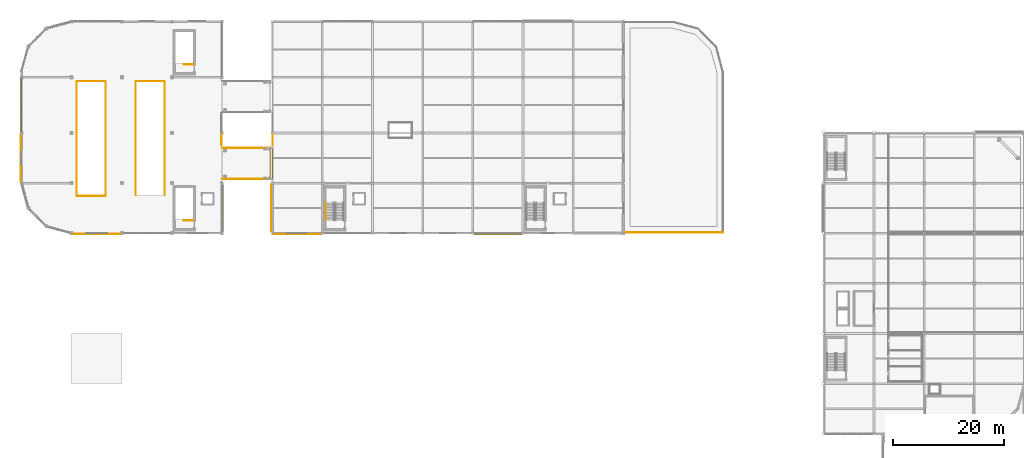
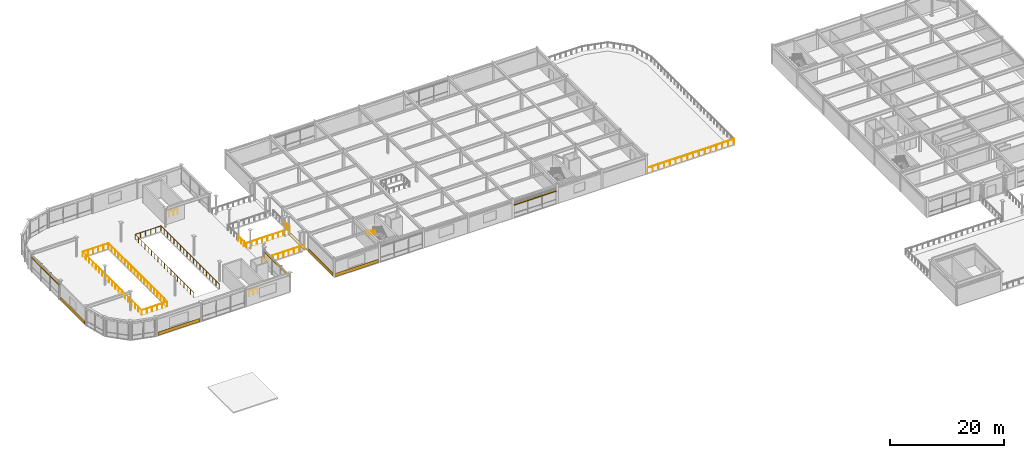
# One storey, part 46 of 53: 11 railings, 5 coverings, 3 shading devices.
"""IFC4 building model written with IfcOpenShell, lengths in metres."""

from ifc_helpers import new_model, si_unit, direction, frame, origin, origin_2d, place, context, subcontext, project, spatial, polyline, rectangle, circle, outline, extrude, material, layer, layer_set, material_profile, profile_set, type_object, element, save


model = new_model("IFC4")

# Units and contexts
model_context = context("Model", 3, precision=1e-05, world=origin(), true_north=direction((0.0, 1.0)))
body_context = subcontext(model_context, "Body", "Model", "MODEL_VIEW")
ifc_project = project(units=[si_unit("LENGTHUNIT", "METRE"), si_unit("AREAUNIT", "SQUARE_METRE"), si_unit("VOLUMEUNIT", "CUBIC_METRE"), si_unit("PLANEANGLEUNIT", "RADIAN"), si_unit("MASSUNIT", "GRAM", prefix="KILO")], contexts=[model_context])

# Site, building, storey
site_placement = place(None, origin())
site = spatial("IfcSite", under=ifc_project, at=site_placement, CompositionType="ELEMENT")
building_placement = place(site_placement, origin())
building = spatial("IfcBuilding", under=site, at=building_placement, Name="Suzunagisa Mobility Hub", CompositionType="ELEMENT")
storey_placement = place(building_placement, frame((0.0, 0.0, 17.699951171875)))
storey = spatial("IfcBuildingStorey", under=building, at=storey_placement, Name="L04", CompositionType="ELEMENT", Elevation=17.699951171875)

# Railings
ifc_material_1 = material(Name="Stainless Steel SUS304", Category="metal")
railing_type_1 = type_object("IfcRailingType", Name="Interior Well Guardrail IGR-01", PredefinedType="GUARDRAIL", material=ifc_material_1)
for number, where, name in (
    (1, (30.840087890625, 82.31005859375, 0.0), "L04 ST-05 top well guard 1"),
    (2, (30.840087890625, 110.31005859375, 0.0), "L04 ST-06 top well guard 1"),
):
    element("IfcRailing", number, at=place(storey_placement, frame(where)), inside=storey, type_object=railing_type_1, Name=name, PredefinedType="GUARDRAIL", context=body_context, shape_type="SweptSolid", body=[
        extrude(circle(Radius=0.02392578125, at=origin_2d()), frame((0.0, 0.0, 1.09619140625), z_axis=(-1.0, 0.0, 0.0), x_axis=(0.0, -1.0, 0.0)), (0.0, 0.0, 1.0), 1.719970703125),
        extrude(circle(Radius=0.02099609375, at=origin_2d()), origin(), (0.0, 0.0, 1.0), 1.072021484375),
        extrude(circle(Radius=0.02099609375, at=origin_2d()), frame((-0.85986328125, 0.0, 0.0)), (0.0, 0.0, 1.0), 1.072021484375),
        extrude(circle(Radius=0.02099609375, at=origin_2d()), frame((-1.719970703125, 0.0, 0.0)), (0.0, 0.0, 1.0), 1.072021484375),
    ])
railing_1_placement = place(storey_placement, frame((9.89990234375, 86.699951171875, 0.0)))
element("IfcRailing", 3, at=railing_1_placement, inside=storey, type_object=railing_type_1, Name="L04 Helical Ramp Up-Well Guardrail RG-50", PredefinedType="GUARDRAIL", context=body_context, shape_type="SweptSolid", body=[
    extrude(circle(Radius=0.02392578125, at=origin_2d()), frame((0.0, 0.0, 1.09619140625), z_axis=(0.0, 1.0, 0.0), x_axis=(-1.0, 0.0, 0.0)), (0.0, 0.0, 1.0), 20.60009765625),
    extrude(circle(Radius=0.02392578125, at=origin_2d()), frame((0.0, 20.60009765625, 1.09619140625), z_axis=(1.0, 0.0, 0.0), x_axis=(0.0, 1.0, 0.0)), (0.0, 0.0, 1.0), 5.2001953125),
    extrude(circle(Radius=0.02099609375, at=origin_2d()), origin(), (0.0, 0.0, 1.0), 1.072021484375),
    extrude(circle(Radius=0.02099609375, at=origin_2d()), frame((0.0, 1.14453125, 0.0)), (0.0, 0.0, 1.0), 1.072021484375),
    extrude(circle(Radius=0.02099609375, at=origin_2d()), frame((0.0, 2.288818359375, 0.0)), (0.0, 0.0, 1.0), 1.072021484375),
    extrude(circle(Radius=0.02099609375, at=origin_2d()), frame((0.0, 3.433349609375, 0.0)), (0.0, 0.0, 1.0), 1.072021484375),
    extrude(circle(Radius=0.02099609375, at=origin_2d()), frame((0.0, 4.577880859375, 0.0)), (0.0, 0.0, 1.0), 1.072021484375),
    extrude(circle(Radius=0.02099609375, at=origin_2d()), frame((0.0, 5.72216796875, 0.0)), (0.0, 0.0, 1.0), 1.072021484375),
    extrude(circle(Radius=0.02099609375, at=origin_2d()), frame((0.0, 6.86669921875, 0.0)), (0.0, 0.0, 1.0), 1.072021484375),
    extrude(circle(Radius=0.02099609375, at=origin_2d()), frame((0.0, 8.01123046875, 0.0)), (0.0, 0.0, 1.0), 1.072021484375),
    extrude(circle(Radius=0.02099609375, at=origin_2d()), frame((0.0, 9.155517578125, 0.0)), (0.0, 0.0, 1.0), 1.072021484375),
    extrude(circle(Radius=0.02099609375, at=origin_2d()), frame((0.0, 10.300048828125, 0.0)), (0.0, 0.0, 1.0), 1.072021484375),
    extrude(circle(Radius=0.02099609375, at=origin_2d()), frame((0.0, 11.444580078125, 0.0)), (0.0, 0.0, 1.0), 1.072021484375),
    extrude(circle(Radius=0.02099609375, at=origin_2d()), frame((0.0, 12.5888671875, 0.0)), (0.0, 0.0, 1.0), 1.072021484375),
    extrude(circle(Radius=0.02099609375, at=origin_2d()), frame((0.0, 13.7333984375, 0.0)), (0.0, 0.0, 1.0), 1.072021484375),
    extrude(circle(Radius=0.02099609375, at=origin_2d()), frame((0.0, 14.8779296875, 0.0)), (0.0, 0.0, 1.0), 1.072021484375),
    extrude(circle(Radius=0.02099609375, at=origin_2d()), frame((0.0, 16.022216796875, 0.0)), (0.0, 0.0, 1.0), 1.072021484375),
    extrude(circle(Radius=0.02099609375, at=origin_2d()), frame((0.0, 17.166748046875, 0.0)), (0.0, 0.0, 1.0), 1.072021484375),
    extrude(circle(Radius=0.02099609375, at=origin_2d()), frame((0.0, 18.311279296875, 0.0)), (0.0, 0.0, 1.0), 1.072021484375),
    extrude(circle(Radius=0.02099609375, at=origin_2d()), frame((0.0, 19.45556640625, 0.0)), (0.0, 0.0, 1.0), 1.072021484375),
    extrude(circle(Radius=0.02099609375, at=origin_2d()), frame((0.0, 20.60009765625, 0.0)), (0.0, 0.0, 1.0), 1.072021484375),
    extrude(circle(Radius=0.02099609375, at=origin_2d()), frame((1.0400390625, 20.60009765625, 0.0)), (0.0, 0.0, 1.0), 1.072021484375),
    extrude(circle(Radius=0.02099609375, at=origin_2d()), frame((2.080078125, 20.60009765625, 0.0)), (0.0, 0.0, 1.0), 1.072021484375),
    extrude(circle(Radius=0.02099609375, at=origin_2d()), frame((3.1201171875, 20.60009765625, 0.0)), (0.0, 0.0, 1.0), 1.072021484375),
    extrude(circle(Radius=0.02099609375, at=origin_2d()), frame((4.16015625, 20.60009765625, 0.0)), (0.0, 0.0, 1.0), 1.072021484375),
    extrude(circle(Radius=0.02099609375, at=origin_2d()), frame((5.2001953125, 20.60009765625, 0.0)), (0.0, 0.0, 1.0), 1.072021484375),
])
railing_2_placement = place(storey_placement, frame((15.10009765625, 107.280029296875, 0.0)))
element("IfcRailing", 4, at=railing_2_placement, inside=storey, type_object=railing_type_1, Name="L04 Helical Ramp Up-Well Guardrail RG-51", PredefinedType="GUARDRAIL", context=body_context, shape_type="SweptSolid", body=[
    extrude(circle(Radius=0.02392578125, at=origin_2d()), frame((0.0, 0.0, 1.09619140625), z_axis=(0.0, -1.0, 0.0), x_axis=(1.0, 0.0, 0.0)), (0.0, 0.0, 1.0), 20.580078125),
    extrude(circle(Radius=0.02392578125, at=origin_2d()), frame((0.0, -20.580078125, 1.09619140625), z_axis=(-1.0, 0.0, 0.0), x_axis=(0.0, -1.0, 0.0)), (0.0, 0.0, 1.0), 5.18017578125),
    extrude(circle(Radius=0.02099609375, at=origin_2d()), origin(), (0.0, 0.0, 1.0), 1.072021484375),
    extrude(circle(Radius=0.02099609375, at=origin_2d()), frame((0.0, -1.143310546875, 0.0)), (0.0, 0.0, 1.0), 1.072021484375),
    extrude(circle(Radius=0.02099609375, at=origin_2d()), frame((0.0, -2.28662109375, 0.0)), (0.0, 0.0, 1.0), 1.072021484375),
    extrude(circle(Radius=0.02099609375, at=origin_2d()), frame((0.0, -3.429931640625, 0.0)), (0.0, 0.0, 1.0), 1.072021484375),
    extrude(circle(Radius=0.02099609375, at=origin_2d()), frame((0.0, -4.5732421875, 0.0)), (0.0, 0.0, 1.0), 1.072021484375),
    extrude(circle(Radius=0.02099609375, at=origin_2d()), frame((0.0, -5.716796875, 0.0)), (0.0, 0.0, 1.0), 1.072021484375),
    extrude(circle(Radius=0.02099609375, at=origin_2d()), frame((0.0, -6.860107421875, 0.0)), (0.0, 0.0, 1.0), 1.072021484375),
    extrude(circle(Radius=0.02099609375, at=origin_2d()), frame((0.0, -8.00341796875, 0.0)), (0.0, 0.0, 1.0), 1.072021484375),
    extrude(circle(Radius=0.02099609375, at=origin_2d()), frame((0.0, -9.146728515625, 0.0)), (0.0, 0.0, 1.0), 1.072021484375),
    extrude(circle(Radius=0.02099609375, at=origin_2d()), frame((0.0, -10.2900390625, 0.0)), (0.0, 0.0, 1.0), 1.072021484375),
    extrude(circle(Radius=0.02099609375, at=origin_2d()), frame((0.0, -11.433349609375, 0.0)), (0.0, 0.0, 1.0), 1.072021484375),
    extrude(circle(Radius=0.02099609375, at=origin_2d()), frame((0.0, -12.57666015625, 0.0)), (0.0, 0.0, 1.0), 1.072021484375),
    extrude(circle(Radius=0.02099609375, at=origin_2d()), frame((0.0, -13.719970703125, 0.0)), (0.0, 0.0, 1.0), 1.072021484375),
    extrude(circle(Radius=0.02099609375, at=origin_2d()), frame((0.0, -14.86328125, 0.0)), (0.0, 0.0, 1.0), 1.072021484375),
    extrude(circle(Radius=0.02099609375, at=origin_2d()), frame((0.0, -16.0068359375, 0.0)), (0.0, 0.0, 1.0), 1.072021484375),
    extrude(circle(Radius=0.02099609375, at=origin_2d()), frame((0.0, -17.150146484375, 0.0)), (0.0, 0.0, 1.0), 1.072021484375),
    extrude(circle(Radius=0.02099609375, at=origin_2d()), frame((0.0, -18.29345703125, 0.0)), (0.0, 0.0, 1.0), 1.072021484375),
    extrude(circle(Radius=0.02099609375, at=origin_2d()), frame((0.0, -19.436767578125, 0.0)), (0.0, 0.0, 1.0), 1.072021484375),
    extrude(circle(Radius=0.02099609375, at=origin_2d()), frame((0.0, -20.580078125, 0.0)), (0.0, 0.0, 1.0), 1.072021484375),
    extrude(circle(Radius=0.02099609375, at=origin_2d()), frame((-1.0361328125, -20.580078125, 0.0)), (0.0, 0.0, 1.0), 1.072021484375),
    extrude(circle(Radius=0.02099609375, at=origin_2d()), frame((-2.072021484375, -20.580078125, 0.0)), (0.0, 0.0, 1.0), 1.072021484375),
    extrude(circle(Radius=0.02099609375, at=origin_2d()), frame((-3.108154296875, -20.580078125, 0.0)), (0.0, 0.0, 1.0), 1.072021484375),
    extrude(circle(Radius=0.02099609375, at=origin_2d()), frame((-4.14404296875, -20.580078125, 0.0)), (0.0, 0.0, 1.0), 1.072021484375),
    extrude(circle(Radius=0.02099609375, at=origin_2d()), frame((-5.18017578125, -20.580078125, 0.0)), (0.0, 0.0, 1.0), 1.072021484375),
])
railing_3_placement = place(storey_placement, frame((20.5, 86.85009765625, 0.0)))
element("IfcRailing", 5, at=railing_3_placement, inside=storey, type_object=railing_type_1, Name="L04 Helical Ramp Arrival Well Guardrail RG-52", PredefinedType="GUARDRAIL", context=body_context, shape_type="SweptSolid", body=[
    extrude(circle(Radius=0.02392578125, at=origin_2d()), frame((0.0, 0.0, 1.09619140625), z_axis=(0.0, 1.0, 0.0), x_axis=(-1.0, 0.0, 0.0)), (0.0, 0.0, 1.0), 20.449951171875),
    extrude(circle(Radius=0.02392578125, at=origin_2d()), frame((0.0, 20.449951171875, 1.09619140625), z_axis=(1.0, 0.0, 0.0), x_axis=(0.0, 1.0, 0.0)), (0.0, 0.0, 1.0), 5.199951171875),
    extrude(circle(Radius=0.02392578125, at=origin_2d()), frame((5.199951171875, 20.449951171875, 1.09619140625), z_axis=(0.0, -1.0, 0.0), x_axis=(1.0, 0.0, 0.0)), (0.0, 0.0, 1.0), 20.449951171875),
    extrude(circle(Radius=0.02099609375, at=origin_2d()), origin(), (0.0, 0.0, 1.0), 1.072021484375),
    extrude(circle(Radius=0.02099609375, at=origin_2d()), frame((0.0, 1.13623046875, 0.0)), (0.0, 0.0, 1.0), 1.072021484375),
    extrude(circle(Radius=0.02099609375, at=origin_2d()), frame((0.0, 2.272216796875, 0.0)), (0.0, 0.0, 1.0), 1.072021484375),
    extrude(circle(Radius=0.02099609375, at=origin_2d()), frame((0.0, 3.408203125, 0.0)), (0.0, 0.0, 1.0), 1.072021484375),
    extrude(circle(Radius=0.02099609375, at=origin_2d()), frame((0.0, 4.54443359375, 0.0)), (0.0, 0.0, 1.0), 1.072021484375),
    extrude(circle(Radius=0.02099609375, at=origin_2d()), frame((0.0, 5.6806640625, 0.0)), (0.0, 0.0, 1.0), 1.072021484375),
    extrude(circle(Radius=0.02099609375, at=origin_2d()), frame((0.0, 6.816650390625, 0.0)), (0.0, 0.0, 1.0), 1.072021484375),
    extrude(circle(Radius=0.02099609375, at=origin_2d()), frame((0.0, 7.95263671875, 0.0)), (0.0, 0.0, 1.0), 1.072021484375),
    extrude(circle(Radius=0.02099609375, at=origin_2d()), frame((0.0, 9.0888671875, 0.0)), (0.0, 0.0, 1.0), 1.072021484375),
    extrude(circle(Radius=0.02099609375, at=origin_2d()), frame((0.0, 10.22509765625, 0.0)), (0.0, 0.0, 1.0), 1.072021484375),
    extrude(circle(Radius=0.02099609375, at=origin_2d()), frame((0.0, 11.361083984375, 0.0)), (0.0, 0.0, 1.0), 1.072021484375),
    extrude(circle(Radius=0.02099609375, at=origin_2d()), frame((0.0, 12.497314453125, 0.0)), (0.0, 0.0, 1.0), 1.072021484375),
    extrude(circle(Radius=0.02099609375, at=origin_2d()), frame((0.0, 13.63330078125, 0.0)), (0.0, 0.0, 1.0), 1.072021484375),
    extrude(circle(Radius=0.02099609375, at=origin_2d()), frame((0.0, 14.76953125, 0.0)), (0.0, 0.0, 1.0), 1.072021484375),
    extrude(circle(Radius=0.02099609375, at=origin_2d()), frame((0.0, 15.905517578125, 0.0)), (0.0, 0.0, 1.0), 1.072021484375),
    extrude(circle(Radius=0.02099609375, at=origin_2d()), frame((0.0, 17.04150390625, 0.0)), (0.0, 0.0, 1.0), 1.072021484375),
    extrude(circle(Radius=0.02099609375, at=origin_2d()), frame((0.0, 18.177734375, 0.0)), (0.0, 0.0, 1.0), 1.072021484375),
    extrude(circle(Radius=0.02099609375, at=origin_2d()), frame((0.0, 19.31396484375, 0.0)), (0.0, 0.0, 1.0), 1.072021484375),
    extrude(circle(Radius=0.02099609375, at=origin_2d()), frame((0.0, 20.449951171875, 0.0)), (0.0, 0.0, 1.0), 1.072021484375),
    extrude(circle(Radius=0.02099609375, at=origin_2d()), frame((1.0400390625, 20.449951171875, 0.0)), (0.0, 0.0, 1.0), 1.072021484375),
    extrude(circle(Radius=0.02099609375, at=origin_2d()), frame((2.080078125, 20.449951171875, 0.0)), (0.0, 0.0, 1.0), 1.072021484375),
    extrude(circle(Radius=0.02099609375, at=origin_2d()), frame((3.119873046875, 20.449951171875, 0.0)), (0.0, 0.0, 1.0), 1.072021484375),
    extrude(circle(Radius=0.02099609375, at=origin_2d()), frame((4.159912109375, 20.449951171875, 0.0)), (0.0, 0.0, 1.0), 1.072021484375),
    extrude(circle(Radius=0.02099609375, at=origin_2d()), frame((5.199951171875, 20.449951171875, 0.0)), (0.0, 0.0, 1.0), 1.072021484375),
    extrude(circle(Radius=0.02099609375, at=origin_2d()), frame((5.199951171875, 19.31396484375, 0.0)), (0.0, 0.0, 1.0), 1.072021484375),
    extrude(circle(Radius=0.02099609375, at=origin_2d()), frame((5.199951171875, 18.177734375, 0.0)), (0.0, 0.0, 1.0), 1.072021484375),
    extrude(circle(Radius=0.02099609375, at=origin_2d()), frame((5.199951171875, 17.04150390625, 0.0)), (0.0, 0.0, 1.0), 1.072021484375),
    extrude(circle(Radius=0.02099609375, at=origin_2d()), frame((5.199951171875, 15.905517578125, 0.0)), (0.0, 0.0, 1.0), 1.072021484375),
    extrude(circle(Radius=0.02099609375, at=origin_2d()), frame((5.199951171875, 14.76953125, 0.0)), (0.0, 0.0, 1.0), 1.072021484375),
    extrude(circle(Radius=0.02099609375, at=origin_2d()), frame((5.199951171875, 13.63330078125, 0.0)), (0.0, 0.0, 1.0), 1.072021484375),
    extrude(circle(Radius=0.02099609375, at=origin_2d()), frame((5.199951171875, 12.4970703125, 0.0)), (0.0, 0.0, 1.0), 1.072021484375),
    extrude(circle(Radius=0.02099609375, at=origin_2d()), frame((5.199951171875, 11.361083984375, 0.0)), (0.0, 0.0, 1.0), 1.072021484375),
    extrude(circle(Radius=0.02099609375, at=origin_2d()), frame((5.199951171875, 10.22509765625, 0.0)), (0.0, 0.0, 1.0), 1.072021484375),
    extrude(circle(Radius=0.02099609375, at=origin_2d()), frame((5.199951171875, 9.0888671875, 0.0)), (0.0, 0.0, 1.0), 1.072021484375),
    extrude(circle(Radius=0.02099609375, at=origin_2d()), frame((5.199951171875, 7.95263671875, 0.0)), (0.0, 0.0, 1.0), 1.072021484375),
    extrude(circle(Radius=0.02099609375, at=origin_2d()), frame((5.199951171875, 6.816650390625, 0.0)), (0.0, 0.0, 1.0), 1.072021484375),
    extrude(circle(Radius=0.02099609375, at=origin_2d()), frame((5.199951171875, 5.6806640625, 0.0)), (0.0, 0.0, 1.0), 1.072021484375),
    extrude(circle(Radius=0.02099609375, at=origin_2d()), frame((5.199951171875, 4.54443359375, 0.0)), (0.0, 0.0, 1.0), 1.072021484375),
    extrude(circle(Radius=0.02099609375, at=origin_2d()), frame((5.199951171875, 3.408203125, 0.0)), (0.0, 0.0, 1.0), 1.072021484375),
    extrude(circle(Radius=0.02099609375, at=origin_2d()), frame((5.199951171875, 2.272216796875, 0.0)), (0.0, 0.0, 1.0), 1.072021484375),
    extrude(circle(Radius=0.02099609375, at=origin_2d()), frame((5.199951171875, 1.13623046875, 0.0)), (0.0, 0.0, 1.0), 1.072021484375),
    extrude(circle(Radius=0.02099609375, at=origin_2d()), frame((5.199951171875, 0.0, 0.0)), (0.0, 0.0, 1.0), 1.072021484375),
])

# Coverings
ifc_material_2 = material(Name="Polished Aggregate Terrazzo Finish")
ifc_layer_1 = layer(ifc_material_2, 0.02001953125)
ifc_layer_set_1 = layer_set([ifc_layer_1], Name="Polished Aggregate Terrazzo Finish")
covering_type_1 = type_object("IfcCoveringType", Name="Polished Terrazzo Heavy-Traffic Flooring FLR-01", PredefinedType="FLOORING", material=ifc_layer_set_1)
covering_1_placement = place(storey_placement, frame((0.0, 0.0, -0.02001953125)))
element("IfcCovering", 6, at=covering_1_placement, inside=storey, type_object=covering_type_1, Name="L04 Flush Hinged Seismic Threshold Plate VRL-L04-S", PredefinedType="FLOORING", context=body_context, shape_type="SweptSolid", body=[
    extrude(outline(polyline([(44.570068359375, 89.75), (45.080078125, 89.75), (45.080078125, 95.25), (44.570068359375, 95.25), (44.570068359375, 89.75)])), origin(), (0.0, 0.0, 1.0), 0.02001953125),
])
ifc_material_3 = material(Name="Vitreous Porcelain Enamel Aluminum Cladding", Category="aluminium")
ifc_layer_2 = layer(ifc_material_3, 0.034912109375)
ifc_layer_set_2 = layer_set([ifc_layer_2], Name="Vitreous Porcelain Enamel Aluminum Cladding")
covering_type_2 = type_object("IfcCoveringType", Name="Porcelain Enamel Spandrel Cladding Band CLD-01", PredefinedType="CLADDING", material=ifc_layer_set_2)
for number, where, z_axis, x_axis, name in (
    (7, (13.5, 79.8525390625, 0.06005859375), (0.0, 0.0, 1.0), (1.0, 0.0, 0.0), "L04 Porcelain Spandrel Cladding Band CLD-11"),
    (8, (-0.137451171875, 93.5, 0.06005859375), (0.0, 0.0, 1.0), (0.0, -1.0, 0.0), "L04 Porcelain Spandrel Cladding Band CLD-12"),
):
    element("IfcCovering", number, at=place(storey_placement, frame(where, z_axis=z_axis, x_axis=x_axis)), inside=storey, type_object=covering_type_2, Name=name, PredefinedType="CLADDING", context=body_context, shape_type="SweptSolid", body=[
        extrude(rectangle(XDim=8.54443359375, YDim=0.034912109375, at=origin_2d()), origin(), (0.0, 0.0, 1.0), 0.719970703125),
    ])
covering_2_placement = place(storey_placement, frame((49.414794921875, 79.842529296875, 0.06005859375), z_axis=(0.0, 0.0, 1.0), x_axis=(1.0, 0.0, 0.0)))
element("IfcCovering", 9, at=covering_2_placement, inside=storey, type_object=covering_type_2, Name="L04 Porcelain Spandrel Cladding Band CLD-25", PredefinedType="CLADDING", context=body_context, shape_type="SweptSolid", body=[
    extrude(rectangle(XDim=8.720458984375, YDim=0.034912109375, at=origin_2d()), origin(), (0.0, 0.0, 1.0), 0.719970703125),
])
covering_3_placement = place(storey_placement, frame((44.83251953125, 84.510009765625, 0.06005859375), z_axis=(0.0, 0.0, 1.0), x_axis=(0.0, -1.0, 0.0)))
element("IfcCovering", 10, at=covering_3_placement, inside=storey, type_object=covering_type_2, Name="L04 Porcelain Spandrel Cladding Band CLD-27", PredefinedType="CLADDING", context=body_context, shape_type="SweptSolid", body=[
    extrude(rectangle(XDim=8.530029296875, YDim=0.034912109375, at=origin_2d()), origin(), (0.0, 0.0, 1.0), 0.719970703125),
])

# Shading devices
ifc_material_4 = material(Name="Fluoropolymer-Coated Extruded Aluminum 6063-T5", Category="aluminium")
ifc_material_profile_1 = material_profile(ifc_material_4, rectangle(XDim=0.360107421875, YDim=0.050048828125, at=origin_2d()), Name="FIN-360x50")
ifc_profile_set_1 = profile_set([ifc_material_profile_1], Name="Fluoropolymer-Coated Extruded Aluminum 6063-T5")
shading_device_type_1 = type_object("IfcShadingDeviceType", Name="Streamline Aluminum Sunshade SF-01 FIN-360x50", PredefinedType="SHUTTER", material=ifc_profile_set_1)
shading_device_1_placement = place(storey_placement, frame((81.205078125, 79.889892578125, 2.800048828125), z_axis=(1.0, 0.0, 0.0), x_axis=(0.0, 1.0, 0.0)))
element("IfcShadingDevice", 11, at=shading_device_1_placement, inside=storey, type_object=shading_device_type_1, Name="L04 Streamline Speed-Rail Sunshade Fin SF-27", PredefinedType="SHUTTER", context=body_context, shape_type="SweptSolid", body=[
    extrude(rectangle(XDim=0.360107421875, YDim=0.050048828125, at=origin_2d()), origin(), (0.0, 0.0, 1.0), 8.58984375),
])
ifc_material_profile_2 = material_profile(ifc_material_4, rectangle(XDim=0.280029296875, YDim=0.044921875, at=origin_2d()), Name="FIN-280x45")
ifc_profile_set_2 = profile_set([ifc_material_profile_2], Name="Fluoropolymer-Coated Extruded Aluminum 6063-T5")
shading_device_type_2 = type_object("IfcShadingDeviceType", Name="Streamline Aluminum Sunshade SF-03 FIN-280x45", PredefinedType="USERDEFINED", material=ifc_profile_set_2)
shading_device_2_placement = place(storey_placement, frame((-0.107421875, 107.792236328125, 3.075927734375), z_axis=(0.0, -1.0, 0.0), x_axis=(1.0, 0.0, 0.0)))
element("IfcShadingDevice", 12, at=shading_device_2_placement, inside=storey, type_object=shading_device_type_2, Name="L04 Streamline Speed-Rail Sunshade Fin SF-17", ObjectType="SUNSHADE FIN", PredefinedType="USERDEFINED", context=body_context, shape_type="SweptSolid", body=[
    extrude(rectangle(XDim=0.280029296875, YDim=0.044921875, at=origin_2d()), origin(), (0.0, 0.0, 1.0), 9.58447265625),
])
ifc_material_profile_3 = material_profile(ifc_material_4, rectangle(XDim=0.360107421875, YDim=0.050048828125, at=origin_2d()), Name="FIN-360x50")
ifc_profile_set_3 = profile_set([ifc_material_profile_3], Name="Fluoropolymer-Coated Extruded Aluminum 6063-T5")
shading_device_type_3 = type_object("IfcShadingDeviceType", Name="Streamline Aluminum Sunshade SF-04 FIN-360x50", PredefinedType="USERDEFINED", material=ifc_profile_set_3)
shading_device_3_placement = place(storey_placement, frame((36.110107421875, 80.207763671875, 3.075927734375), z_axis=(0.0, 1.0, 0.0), x_axis=(-1.0, 0.0, 0.0)))
element("IfcShadingDevice", 13, at=shading_device_3_placement, inside=storey, type_object=shading_device_type_3, Name="L04 Streamline Speed-Rail Sunshade Fin SF-16", ObjectType="SUNSHADE FIN", PredefinedType="USERDEFINED", context=body_context, shape_type="SweptSolid", body=[
    extrude(rectangle(XDim=0.360107421875, YDim=0.050048828125, at=origin_2d()), origin(), (0.0, 0.0, 1.0), 8.58447265625),
])

# Railings
ifc_material_5 = material(Name="Anodized Aluminum and Stainless Steel SUS316", Category="metal")
railing_type_2 = type_object("IfcRailingType", Name="Streamline Ship-Deck Tubular Balustrade BL-01", PredefinedType="BALUSTRADE", material=ifc_material_5)
railing_4_placement = place(storey_placement, frame((35.89990234375, 95.85009765625, 0.0)))
element("IfcRailing", 14, at=railing_4_placement, inside=storey, type_object=railing_type_2, Name="L04 Skybridge Threshold Side Guardrail BSG-9", PredefinedType="BALUSTRADE", context=body_context, shape_type="SweptSolid", body=[
    extrude(circle(Radius=0.02392578125, at=origin_2d()), frame((0.0, 0.0, 1.11572265625), z_axis=(0.0, 1.0, 0.0), x_axis=(-1.0, 0.0, 0.0)), (0.0, 0.0, 1.0), 1.97216796875),
    extrude(circle(Radius=0.02099609375, at=origin_2d()), origin(), (0.0, 0.0, 1.0), 1.091796875),
    extrude(circle(Radius=0.02099609375, at=origin_2d()), frame((0.0, 0.986083984375, 0.0)), (0.0, 0.0, 1.0), 1.091796875),
    extrude(circle(Radius=0.02099609375, at=origin_2d()), frame((0.0, 1.97216796875, 0.0)), (0.0, 0.0, 1.0), 1.091796875),
])
railing_5_placement = place(storey_placement, frame((45.10009765625, 97.824951171875, 0.0)))
element("IfcRailing", 15, at=railing_5_placement, inside=storey, type_object=railing_type_2, Name="L04 Skybridge Threshold Side Guardrail BSG-20", PredefinedType="BALUSTRADE", context=body_context, shape_type="SweptSolid", body=[
    extrude(circle(Radius=0.02392578125, at=origin_2d()), frame((0.0, 0.0, 1.11572265625), z_axis=(0.0, -1.0, 0.0), x_axis=(1.0, 0.0, 0.0)), (0.0, 0.0, 1.0), 1.974853515625),
    extrude(circle(Radius=0.02099609375, at=origin_2d()), origin(), (0.0, 0.0, 1.0), 1.091796875),
    extrude(circle(Radius=0.02099609375, at=origin_2d()), frame((0.0, -0.9873046875, 0.0)), (0.0, 0.0, 1.0), 1.091796875),
    extrude(circle(Radius=0.02099609375, at=origin_2d()), frame((0.0, -1.974853515625, 0.0)), (0.0, 0.0, 1.0), 1.091796875),
])
ifc_material_6 = material(Name="Stainless Steel SUS316", Category="metal")
railing_type_3 = type_object("IfcRailingType", Name="Terrace Stainless Steel Guardrail GR-01", PredefinedType="GUARDRAIL", material=ifc_material_6)
railing_6_placement = place(storey_placement, frame((125.8798828125, 80.1201171875, 0.0)))
element("IfcRailing", 16, at=railing_6_placement, inside=storey, type_object=railing_type_3, Name="L04 Terrace Perimeter Guardrail GR-34", PredefinedType="GUARDRAIL", context=body_context, shape_type="SweptSolid", body=[
    extrude(circle(Radius=0.02392578125, at=origin_2d()), frame((0.0, 0.0, 1.09619140625), z_axis=(-1.0, 0.0, 0.0), x_axis=(0.0, -1.0, 0.0)), (0.0, 0.0, 1.0), 17.6298828125),
    extrude(circle(Radius=0.02099609375, at=origin_2d()), origin(), (0.0, 0.0, 1.0), 1.072021484375),
    extrude(circle(Radius=0.02099609375, at=origin_2d()), frame((-1.17529296875, 0.0, 0.0)), (0.0, 0.0, 1.0), 1.072021484375),
    extrude(circle(Radius=0.02099609375, at=origin_2d()), frame((-2.3505859375, 0.0, 0.0)), (0.0, 0.0, 1.0), 1.072021484375),
    extrude(circle(Radius=0.02099609375, at=origin_2d()), frame((-3.52587890625, 0.0, 0.0)), (0.0, 0.0, 1.0), 1.072021484375),
    extrude(circle(Radius=0.02099609375, at=origin_2d()), frame((-4.701416015625, 0.0, 0.0)), (0.0, 0.0, 1.0), 1.072021484375),
    extrude(circle(Radius=0.02099609375, at=origin_2d()), frame((-5.876708984375, 0.0, 0.0)), (0.0, 0.0, 1.0), 1.072021484375),
    extrude(circle(Radius=0.02099609375, at=origin_2d()), frame((-7.052001953125, 0.0, 0.0)), (0.0, 0.0, 1.0), 1.072021484375),
    extrude(circle(Radius=0.02099609375, at=origin_2d()), frame((-8.227294921875, 0.0, 0.0)), (0.0, 0.0, 1.0), 1.072021484375),
    extrude(circle(Radius=0.02099609375, at=origin_2d()), frame((-9.402587890625, 0.0, 0.0)), (0.0, 0.0, 1.0), 1.072021484375),
    extrude(circle(Radius=0.02099609375, at=origin_2d()), frame((-10.577880859375, 0.0, 0.0)), (0.0, 0.0, 1.0), 1.072021484375),
    extrude(circle(Radius=0.02099609375, at=origin_2d()), frame((-11.753173828125, 0.0, 0.0)), (0.0, 0.0, 1.0), 1.072021484375),
    extrude(circle(Radius=0.02099609375, at=origin_2d()), frame((-12.928466796875, 0.0, 0.0)), (0.0, 0.0, 1.0), 1.072021484375),
    extrude(circle(Radius=0.02099609375, at=origin_2d()), frame((-14.10400390625, 0.0, 0.0)), (0.0, 0.0, 1.0), 1.072021484375),
    extrude(circle(Radius=0.02099609375, at=origin_2d()), frame((-15.279296875, 0.0, 0.0)), (0.0, 0.0, 1.0), 1.072021484375),
    extrude(circle(Radius=0.02099609375, at=origin_2d()), frame((-16.45458984375, 0.0, 0.0)), (0.0, 0.0, 1.0), 1.072021484375),
    extrude(circle(Radius=0.02099609375, at=origin_2d()), frame((-17.6298828125, 0.0, 0.0)), (0.0, 0.0, 1.0), 1.072021484375),
])
for number, where, name in (
    (17, (36.050048828125, 89.719970703125, 0.0), "L04 Bridge Edge Guardrail VRL-L04-S-87"),
    (18, (36.050048828125, 95.280029296875, 0.0), "L04 Bridge Edge Guardrail VRL-L04-S-88"),
):
    element("IfcRailing", number, at=place(storey_placement, frame(where)), inside=storey, type_object=railing_type_3, Name=name, PredefinedType="GUARDRAIL", context=body_context, shape_type="SweptSolid", body=[
        extrude(circle(Radius=0.02392578125, at=origin_2d()), frame((0.0, 0.0, 1.09619140625), z_axis=(1.0, 0.0, 0.0), x_axis=(0.0, 1.0, 0.0)), (0.0, 0.0, 1.0), 8.550048828125),
        extrude(circle(Radius=0.02099609375, at=origin_2d()), origin(), (0.0, 0.0, 1.0), 1.072021484375),
        extrude(circle(Radius=0.02099609375, at=origin_2d()), frame((1.06884765625, 0.0, 0.0)), (0.0, 0.0, 1.0), 1.072021484375),
        extrude(circle(Radius=0.02099609375, at=origin_2d()), frame((2.137451171875, 0.0, 0.0)), (0.0, 0.0, 1.0), 1.072021484375),
        extrude(circle(Radius=0.02099609375, at=origin_2d()), frame((3.206298828125, 0.0, 0.0)), (0.0, 0.0, 1.0), 1.072021484375),
        extrude(circle(Radius=0.02099609375, at=origin_2d()), frame((4.27490234375, 0.0, 0.0)), (0.0, 0.0, 1.0), 1.072021484375),
        extrude(circle(Radius=0.02099609375, at=origin_2d()), frame((5.34375, 0.0, 0.0)), (0.0, 0.0, 1.0), 1.072021484375),
        extrude(circle(Radius=0.02099609375, at=origin_2d()), frame((6.41259765625, 0.0, 0.0)), (0.0, 0.0, 1.0), 1.072021484375),
        extrude(circle(Radius=0.02099609375, at=origin_2d()), frame((7.481201171875, 0.0, 0.0)), (0.0, 0.0, 1.0), 1.072021484375),
        extrude(circle(Radius=0.02099609375, at=origin_2d()), frame((8.550048828125, 0.0, 0.0)), (0.0, 0.0, 1.0), 1.072021484375),
    ])
railing_type_4 = type_object("IfcRailingType", Name="Tubular Stainless Stair Handrail IHR-01", PredefinedType="HANDRAIL", material=ifc_material_1)
railing_7_placement = place(storey_placement, frame((54.610107421875, 85.43994140625, 2.275146484375)))
element("IfcRailing", 19, at=railing_7_placement, inside=storey, type_object=railing_type_4, Name="L04 ST-07 stair handrail 2", PredefinedType="HANDRAIL", context=body_context, shape_type="SweptSolid", body=[
    extrude(circle(Radius=0.02392578125, at=origin_2d()), frame((0.0, 0.0, 0.8759765625), z_axis=(0.0, -0.848009633417, 0.529980812513), x_axis=(1.0, 0.0, 0.0)), (0.0, 0.0, 1.0), 3.6318359375),
    extrude(circle(Radius=0.02099609375, at=origin_2d()), origin(), (0.0, 0.0, 1.0), 0.851806640625),
    extrude(circle(Radius=0.02099609375, at=origin_2d()), frame((0.0, -0.77001953125, 0.481201171875)), (0.0, 0.0, 1.0), 0.851806640625),
    extrude(circle(Radius=0.02099609375, at=origin_2d()), frame((0.0, -1.5400390625, 0.96240234375)), (0.0, 0.0, 1.0), 0.851806640625),
    extrude(circle(Radius=0.02099609375, at=origin_2d()), frame((0.0, -2.309814453125, 1.443603515625)), (0.0, 0.0, 1.0), 0.851806640625),
    extrude(circle(Radius=0.02099609375, at=origin_2d()), frame((0.0, -3.079833984375, 1.9248046875)), (0.0, 0.0, 1.0), 0.851806640625),
])

save(model, "model.ifc")
